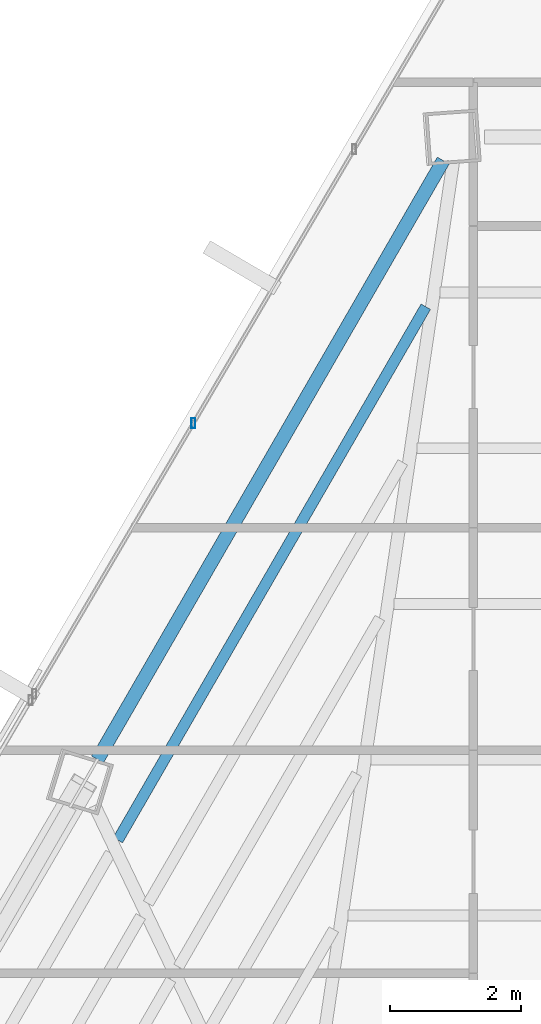
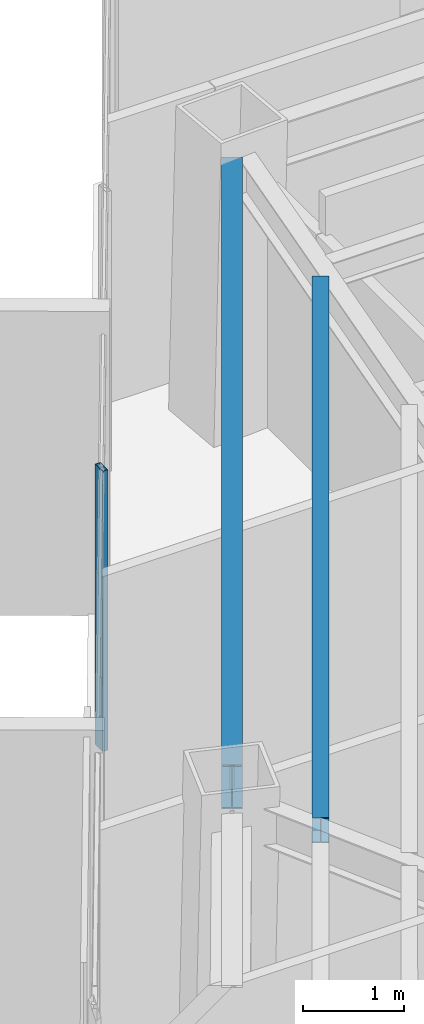
# One storey, part 28 of 42: 2 beams, 1 member, 1 element without a shape of its own.
"""IFC4 building model written with IfcOpenShell, lengths in metres."""

from ifc_helpers import new_model, si_unit, direction, frame, origin, origin_2d, place, context, subcontext, project, spatial, hollow_rectangle, i_section, extrude, source, transform, mapped, material, material_profile, profile_set, type_object, type_shapes, element, aggregate, save


model = new_model("IFC4")

# Units and contexts
model_context = context("Model", 3, precision=1e-05, world=origin(), true_north=direction((0.0, 1.0)))
body_context = subcontext(model_context, "Body", "Model", "MODEL_VIEW")
ifc_project = project(units=[si_unit("LENGTHUNIT", "METRE"), si_unit("AREAUNIT", "SQUARE_METRE"), si_unit("VOLUMEUNIT", "CUBIC_METRE"), si_unit("PLANEANGLEUNIT", "RADIAN"), si_unit("MASSUNIT", "GRAM", prefix="KILO")], contexts=[model_context])

# Site, building, storey
site_placement = place(None, origin())
site = spatial("IfcSite", under=ifc_project, at=site_placement, CompositionType="ELEMENT")
building_placement = place(site_placement, origin())
building = spatial("IfcBuilding", under=site, at=building_placement, Name="Caelisora Broadcast Tower", CompositionType="ELEMENT")
storey_placement = place(building_placement, frame((0.0, 0.0, 202.300048828125)))
storey = spatial("IfcBuildingStorey", under=building, at=storey_placement, Name="L53", CompositionType="ELEMENT", Elevation=202.300048828125)

# Beams
ifc_material_1 = material(Name="Steel Grade 350 (AS/NZS 3679.1)", Category="steel")
ifc_material_profile_1 = material_profile(ifc_material_1, i_section(OverallWidth=0.208984375, OverallDepth=0.532958984375, WebThickness=0.01025390625, FlangeThickness=0.015625, at=origin_2d()), Name="Steel Grade 350 (AS/NZS 3679.1)")
ifc_profile_set_1 = profile_set([ifc_material_profile_1], Name="Steel Grade 350 (AS/NZS 3679.1)")
beam_type_1 = type_object("IfcBeamType", Name="PG05", PredefinedType="BEAM", material=ifc_profile_set_1)
shared_shape_1 = source(origin(), body_context, "Body", "SweptSolid", [
    extrude(i_section(OverallWidth=0.208984375, OverallDepth=0.532958984375, WebThickness=0.01025390625, FlangeThickness=0.015625, at=origin_2d()), origin(), (0.0, 0.0, 1.0), 10.524169921875),
])
type_shapes(beam_type_1, [shared_shape_1])
beam_1_placement = place(storey_placement, frame((32.740966796875, 46.2255859375, 3.133544921875), z_axis=(-0.500006259065, -0.866021790081, 0.0), x_axis=(0.866021790081, -0.500006259065, 0.0)))
element("IfcBeam", 1, at=beam_1_placement, inside=storey, type_object=beam_type_1, Name="L53 beam PG05", PredefinedType="BEAM", context=body_context, shape_type="MappedRepresentation", body=[
    mapped(shared_shape_1, transform((0.0, 0.0, 0.0), scale=1.0)),
])
ifc_material_profile_2 = material_profile(ifc_material_1, i_section(OverallWidth=0.166015625, OverallDepth=0.30712890625, WebThickness=0.006591796875, FlangeThickness=0.01171875, at=origin_2d()), Name="Steel Grade 350 (AS/NZS 3679.1)")
ifc_profile_set_2 = profile_set([ifc_material_profile_2], Name="Steel Grade 350 (AS/NZS 3679.1)")
beam_type_2 = type_object("IfcBeamType", Name="SB03", PredefinedType="JOIST", material=ifc_profile_set_2)
shared_shape_2 = source(origin(), body_context, "Body", "SweptSolid", [
    extrude(i_section(OverallWidth=0.166015625, OverallDepth=0.30712890625, WebThickness=0.006591796875, FlangeThickness=0.01171875, at=origin_2d()), origin(), (0.0, 0.0, 1.0), 9.373046875),
])
type_shapes(beam_type_2, [shared_shape_2])
beam_2_placement = place(storey_placement, frame((32.474853515625, 44.00146484375, 3.246337890625), z_axis=(-0.500005045038, -0.866022491011, 0.0), x_axis=(0.866022491011, -0.500005045038, 0.0)))
element("IfcBeam", 2, at=beam_2_placement, inside=storey, type_object=beam_type_2, Name="L53 beam SB03", PredefinedType="JOIST", context=body_context, shape_type="MappedRepresentation", body=[
    mapped(shared_shape_2, transform((0.0, 0.0, 0.0), scale=1.0)),
])

# Curtain wall, member
ifc_material_2 = material(Name="Unitised Aluminium and Low-E Glass Curtain Wall", Category="glass")
curtain_wall_type = type_object("IfcCurtainWallType", Name="CW-Z4", PredefinedType="NOTDEFINED", material=ifc_material_2)
curtain_wall_placement = place(storey_placement, origin())
curtain_wall = element("IfcCurtainWall", 3, at=curtain_wall_placement, inside=storey, type_object=curtain_wall_type, Name="L53 curtain wall CW-Z4", PredefinedType="NOTDEFINED")
ifc_material_3 = material(Name="Aluminium 6063-T6 Anodised Terracotta Bronze", Category="aluminium")
ifc_material_profile_3 = material_profile(ifc_material_3, hollow_rectangle(XDim=0.06005859375, YDim=0.14990234375, WallThickness=0.00341796875, at=origin_2d()), Name="Aluminium 6063-T6 Anodised Terracotta Bronze")
ifc_profile_set_3 = profile_set([ifc_material_profile_3], Name="Aluminium 6063-T6 Anodised Terracotta Bronze")
member_type = type_object("IfcMemberType", Name="CWM-03", PredefinedType="MULLION", material=ifc_profile_set_3)
shared_shape_3 = source(origin(), body_context, "Body", "SweptSolid", [
    extrude(hollow_rectangle(XDim=0.06005859375, YDim=0.14990234375, WallThickness=0.00341796875, at=origin_2d()), origin(), (0.0, 0.0, 1.0), 3.39990234375),
])
type_shapes(member_type, [shared_shape_3])
member_placement = place(storey_placement, frame((28.939453125, 42.230224609375, 0.0), z_axis=(0.0, 0.0, 1.0), x_axis=(1.0, 0.0, 0.0)))
member = element("IfcMember", 4, at=member_placement, type_object=member_type, Name="L53-CW-B11 mullion #1", PredefinedType="MULLION", context=body_context, shape_type="MappedRepresentation", body=[
    mapped(shared_shape_3, transform((0.0, 0.0, 0.0), scale=1.0)),
])
aggregate(curtain_wall, [member])

save(model, "model.ifc")
